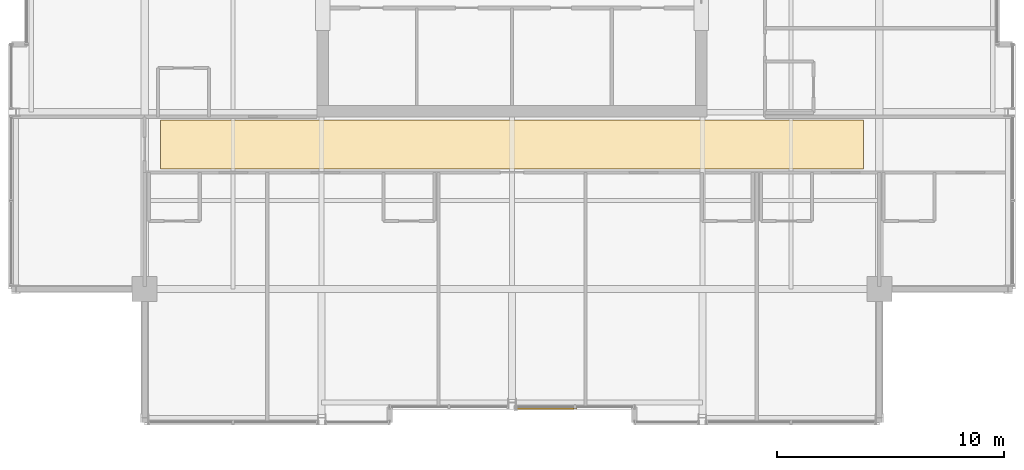
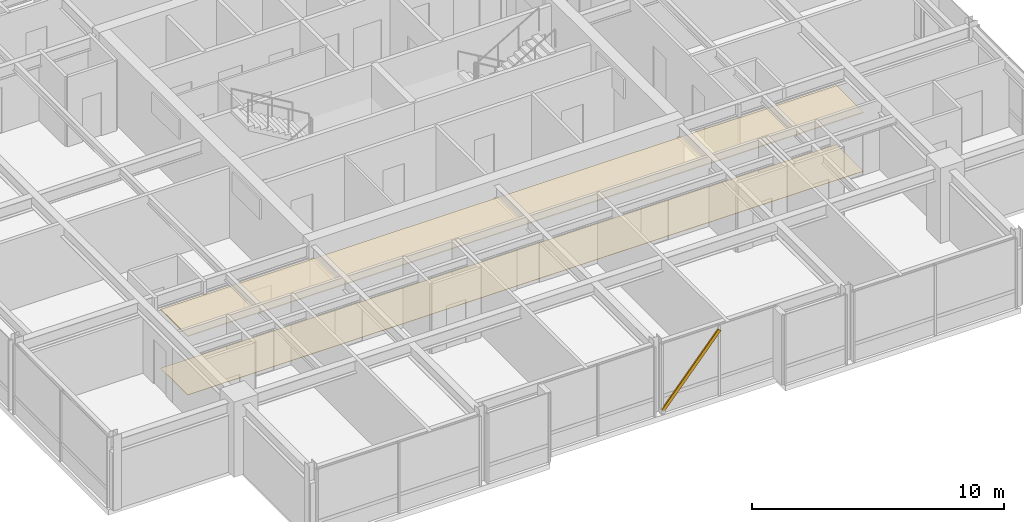
# One storey, part 32 of 34: 2 coverings, 1 shading device.
"""IFC4 building model written with IfcOpenShell, lengths in metres."""

from ifc_helpers import new_model, si_unit, direction, frame, origin, origin_2d, place, context, subcontext, project, spatial, polyline, hollow_rectangle, outline, extrude, material, layer, layer_set, material_profile, profile_set, type_object, element, save


model = new_model("IFC4")

# Units and contexts
model_context = context("Model", 3, precision=1e-05, world=origin(), true_north=direction((0.0, 1.0)))
body_context = subcontext(model_context, "Body", "Model", "MODEL_VIEW")
ifc_project = project(units=[si_unit("LENGTHUNIT", "METRE"), si_unit("AREAUNIT", "SQUARE_METRE"), si_unit("VOLUMEUNIT", "CUBIC_METRE"), si_unit("PLANEANGLEUNIT", "RADIAN"), si_unit("MASSUNIT", "GRAM", prefix="KILO")], contexts=[model_context])

# Site, building, storey
site_placement = place(None, origin())
site = spatial("IfcSite", under=ifc_project, at=site_placement, CompositionType="ELEMENT")
building_placement = place(site_placement, origin())
building = spatial("IfcBuilding", under=site, at=building_placement, Name="Drelvath Grand Hotel", CompositionType="ELEMENT")
storey_placement = place(building_placement, frame((0.0, 0.0, 272.300048828125)))
storey = spatial("IfcBuildingStorey", under=building, at=storey_placement, Name="L71", CompositionType="ELEMENT", Elevation=272.300048828125)

# Shading device
ifc_material_1 = material(Name="Platinum-Mist Anodised Aluminium", Category="aluminium")
ifc_material_profile = material_profile(ifc_material_1, hollow_rectangle(XDim=0.06494140625, YDim=0.159912109375, WallThickness=0.00390625, at=origin_2d()), Name="HSS160X65X4")
ifc_profile_set = profile_set([ifc_material_profile], Name="Platinum-Mist Anodised Aluminium")
shading_device_type = type_object("IfcShadingDeviceType", Name="Diagonal Solar Fin Platinum Anodised HSS160X65X4", PredefinedType="USERDEFINED", material=ifc_profile_set)
shading_device_placement = place(storey_placement, frame((0.170166015625, 5.52001953125, 0.179931640625), z_axis=(0.653354613196, 0.0, 0.757052012358), x_axis=(0.0, 1.0, 0.0)))
element("IfcShadingDevice", 1, at=shading_device_placement, inside=storey, type_object=shading_device_type, Name="L71 Diagonal Anodised Fin CW05-L71-SM2", ObjectType="FIN", PredefinedType="USERDEFINED", context=body_context, shape_type="SweptSolid", body=[
    extrude(hollow_rectangle(XDim=0.06494140625, YDim=0.159912109375, WallThickness=0.00390625, at=origin_2d()), origin(), (0.0, 0.0, 1.0), 4.00244140625),
])

# Coverings
ifc_material_2 = material(Name="Woven Wool Broadloom Carpet")
ifc_layer_1 = layer(ifc_material_2, 0.01806640625)
ifc_layer_set_1 = layer_set([ifc_layer_1], Name="Woven Wool Broadloom Carpet")
covering_type_1 = type_object("IfcCoveringType", Name="Hospitality Broadloom Carpet 18", PredefinedType="FLOORING", material=ifc_layer_set_1)
covering_1_placement = place(storey_placement, origin())
element("IfcCovering", 2, at=covering_1_placement, inside=storey, type_object=covering_type_1, Name="L71 Upper Gallery Carpet", PredefinedType="FLOORING", context=body_context, shape_type="SweptSolid", body=[
    extrude(outline(polyline([(15.5, 16.10009765625), (15.5, 18.25), (-15.5, 18.25), (-15.5, 16.10009765625), (15.5, 16.10009765625)])), origin(), (0.0, 0.0, 1.0), 0.01806640625),
])
ifc_material_3 = material(Name="Anodised Aluminium Alloy", Category="aluminium")
ifc_layer_2 = layer(ifc_material_3, 0.0400390625)
ifc_layer_set_2 = layer_set([ifc_layer_2], Name="Anodised Aluminium Alloy")
covering_type_2 = type_object("IfcCoveringType", Name="Perforated Metal Corridor Ceiling 40", PredefinedType="CEILING", material=ifc_layer_set_2)
covering_2_placement = place(storey_placement, frame((0.0, 0.0, 2.83984375)))
element("IfcCovering", 3, at=covering_2_placement, inside=storey, type_object=covering_type_2, Name="L71 Upper Gallery Ceiling", PredefinedType="CEILING", context=body_context, shape_type="SweptSolid", body=[
    extrude(outline(polyline([(15.5, 16.10009765625), (15.5, 18.25), (-15.5, 18.25), (-15.5, 16.10009765625), (15.5, 16.10009765625)])), origin(), (0.0, 0.0, 1.0), 0.0400390625),
])

save(model, "model.ifc")
